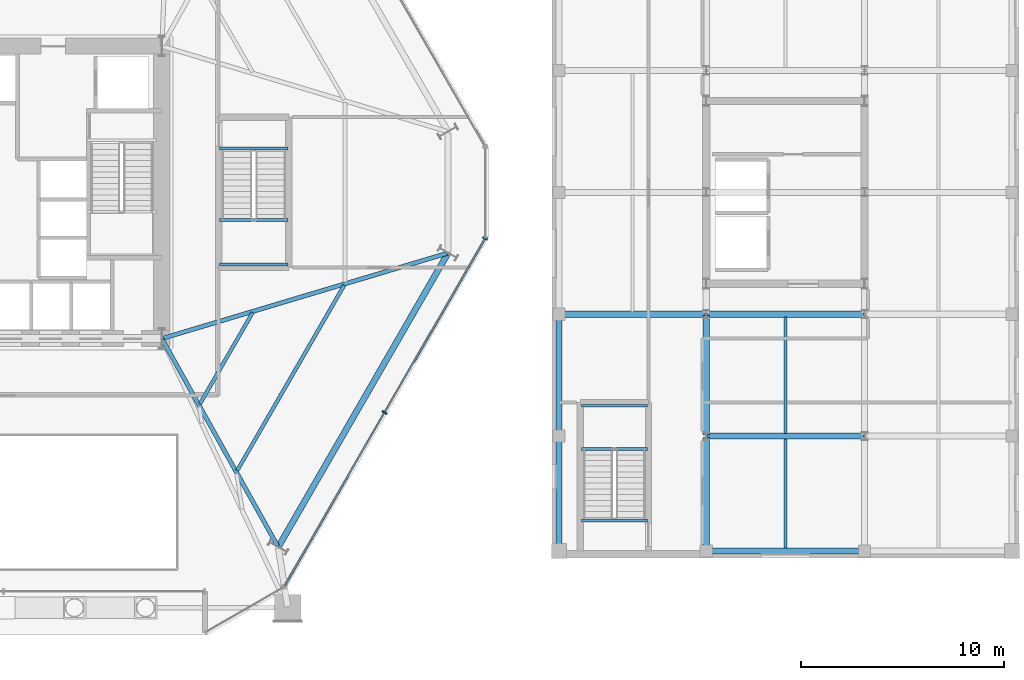
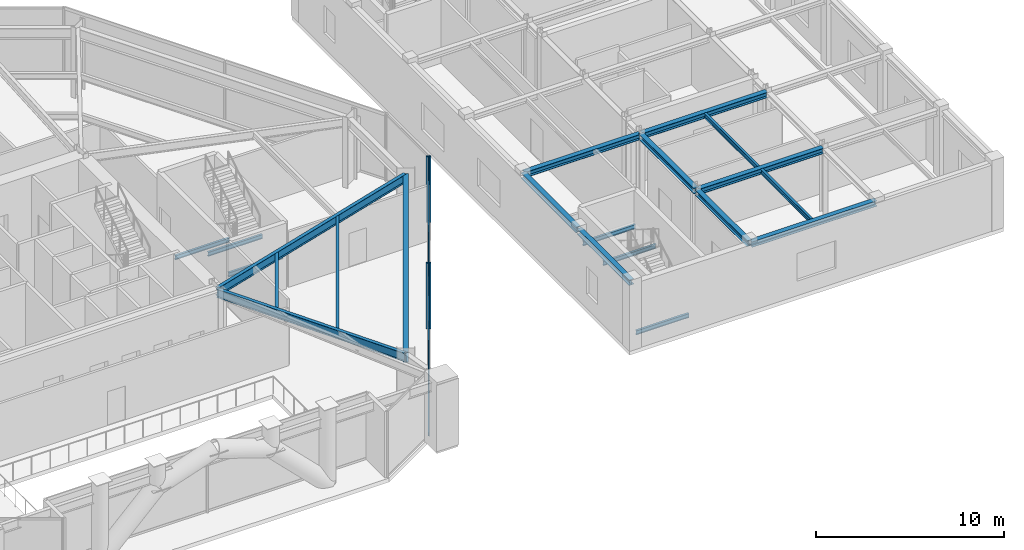
# One storey, part 9 of 23: 21 beams, 6 members, 1 element without a shape of its own.
"""IFC4 building model written with IfcOpenShell, lengths in metres."""

from ifc_helpers import new_model, si_unit, direction, frame, origin, origin_2d, place, context, subcontext, project, spatial, rectangle, i_section, extrude, material, layer, layer_set, material_profile, profile_set, type_object, element, aggregate, save


model = new_model("IFC4")

# Units and contexts
model_context = context("Model", 3, precision=1e-05, world=origin(), true_north=direction((0.0, 1.0)))
body_context = subcontext(model_context, "Body", "Model", "MODEL_VIEW")
ifc_project = project(units=[si_unit("LENGTHUNIT", "METRE"), si_unit("AREAUNIT", "SQUARE_METRE"), si_unit("VOLUMEUNIT", "CUBIC_METRE"), si_unit("PLANEANGLEUNIT", "RADIAN"), si_unit("MASSUNIT", "GRAM", prefix="KILO")], contexts=[model_context])

# Site, building, storey
site_placement = place(None, origin())
site = spatial("IfcSite", under=ifc_project, at=site_placement, CompositionType="ELEMENT")
building_placement = place(site_placement, origin())
building = spatial("IfcBuilding", under=site, at=building_placement, Name="Kranzbogen Civic Tower", CompositionType="ELEMENT")
storey_placement = place(building_placement, frame((0.0, 0.0, 14.39990234375)))
storey = spatial("IfcBuildingStorey", under=building, at=storey_placement, Name="L03", CompositionType="ELEMENT", Elevation=14.39990234375)

# Curtain wall, members
ifc_material_1 = material(Name="Pale Anodised Aluminium", Category="aluminium")
ifc_layer = layer(ifc_material_1, 0.219970703125, Name="Pale Anodised Aluminium")
ifc_layer_set = layer_set([ifc_layer], Name="Pale Anodised Aluminium")
curtain_wall_type = type_object("IfcCurtainWallType", Name="Podium Stick Curtain Wall System CW-01", PredefinedType="USERDEFINED", material=ifc_layer_set)
curtain_wall_placement = place(storey_placement, origin())
curtain_wall = element("IfcCurtainWall", 1, at=curtain_wall_placement, inside=storey, type_object=curtain_wall_type, Name="L03 curtain wall CW-L03-F6", ObjectType="STICK CURTAIN WALL", PredefinedType="USERDEFINED")
ifc_material_profile_1 = material_profile(ifc_material_1, rectangle(XDim=0.0849609375, YDim=0.260009765625, at=origin_2d()), Name="ALU-M 85x260")
ifc_profile_set_1 = profile_set([ifc_material_profile_1], Name="Pale Anodised Aluminium")
member_type_1 = type_object("IfcMemberType", Name="Curtain Wall Mullion ALU-M 85x260", PredefinedType="MULLION", material=ifc_profile_set_1)
member_1_placement = place(storey_placement, frame((43.76904296875, 14.16357421875, 0.0), z_axis=(0.0, 0.0, 1.0), x_axis=(0.500005767433, 0.86602207393, 0.0)))
member_1 = element("IfcMember", 2, at=member_1_placement, type_object=member_type_1, Name="CW-01 mullion 2", PredefinedType="MULLION", context=body_context, shape_type="SweptSolid", body=[
    extrude(rectangle(XDim=0.0849609375, YDim=0.260009765625, at=origin_2d()), origin(), (0.0, 0.0, 1.0), 4.300048828125),
])
member_2_placement = place(storey_placement, frame((48.718994140625, 22.737060546875, 0.0), z_axis=(0.0, 0.0, 1.0), x_axis=(0.500005767433, 0.86602207393, 0.0)))
member_2 = element("IfcMember", 3, at=member_2_placement, type_object=member_type_1, Name="CW-01 mullion 3", PredefinedType="MULLION", context=body_context, shape_type="SweptSolid", body=[
    extrude(rectangle(XDim=0.0849609375, YDim=0.260009765625, at=origin_2d()), origin(), (0.0, 0.0, 1.0), 4.300048828125),
])
ifc_material_profile_2 = material_profile(ifc_material_1, rectangle(XDim=0.0849609375, YDim=0.195068359375, at=origin_2d()), Name="ALU-T 85x195")
ifc_profile_set_2 = profile_set([ifc_material_profile_2], Name="Pale Anodised Aluminium")
member_type_2 = type_object("IfcMemberType", Name="Curtain Wall Transom ALU-T 85x195", PredefinedType="USERDEFINED", material=ifc_profile_set_2)
member_3_placement = place(storey_placement, frame((38.833984375, 5.615966796875, 0.030029296875), z_axis=(0.500003092839, 0.866023618125, 0.0), x_axis=(-0.866023618125, 0.500003092839, 0.0)))
member_3 = element("IfcMember", 4, at=member_3_placement, type_object=member_type_2, Name="CW-01 transom 1.1", ObjectType="TRANSOM", PredefinedType="USERDEFINED", context=body_context, shape_type="SweptSolid", body=[
    extrude(rectangle(XDim=0.0849609375, YDim=0.195068359375, at=origin_2d()), origin(), (0.0, 0.0, 1.0), 9.83984375),
])
member_4_placement = place(storey_placement, frame((38.833984375, 5.615966796875, 4.27001953125), z_axis=(0.500003092839, 0.866023618125, 0.0), x_axis=(-0.866023618125, 0.500003092839, 0.0)))
member_4 = element("IfcMember", 5, at=member_4_placement, type_object=member_type_2, Name="CW-01 transom 1.2", ObjectType="TRANSOM", PredefinedType="USERDEFINED", context=body_context, shape_type="SweptSolid", body=[
    extrude(rectangle(XDim=0.0849609375, YDim=0.195068359375, at=origin_2d()), origin(), (0.0, 0.0, 1.0), 9.83984375),
])
member_5_placement = place(storey_placement, frame((43.783935546875, 14.189453125, 0.030029296875), z_axis=(0.500021701106, 0.866012874282, 0.0), x_axis=(-0.866012874282, 0.500021701106, 0.0)))
member_5 = element("IfcMember", 6, at=member_5_placement, type_object=member_type_2, Name="CW-01 transom 2.1", ObjectType="TRANSOM", PredefinedType="USERDEFINED", context=body_context, shape_type="SweptSolid", body=[
    extrude(rectangle(XDim=0.0849609375, YDim=0.195068359375, at=origin_2d()), origin(), (0.0, 0.0, 1.0), 9.83984375),
])
member_6_placement = place(storey_placement, frame((43.783935546875, 14.189453125, 4.27001953125), z_axis=(0.500021701106, 0.866012874282, 0.0), x_axis=(-0.866012874282, 0.500021701106, 0.0)))
member_6 = element("IfcMember", 7, at=member_6_placement, type_object=member_type_2, Name="CW-01 transom 2.2", ObjectType="TRANSOM", PredefinedType="USERDEFINED", context=body_context, shape_type="SweptSolid", body=[
    extrude(rectangle(XDim=0.0849609375, YDim=0.195068359375, at=origin_2d()), origin(), (0.0, 0.0, 1.0), 9.83984375),
])
aggregate(curtain_wall, [member_1, member_2, member_3, member_4, member_5, member_6])

# Beams
ifc_material_2 = material(Name="Steel S355", Category="steel")
ifc_material_profile_3 = material_profile(ifc_material_2, i_section(OverallWidth=0.300048828125, OverallDepth=0.360107421875, WebThickness=0.012451171875, FlangeThickness=0.0224609375, at=origin_2d()), Name="HEB 360")
ifc_profile_set_3 = profile_set([ifc_material_profile_3], Name="Steel S355")
beam_type_1 = type_object("IfcBeamType", Name="Health Centre Primary Floor Beam HEB 360", PredefinedType="BEAM", material=ifc_profile_set_3)
for number, where, z_axis, x_axis, name in (
    (8, (59.659912109375, 7.35009765625, 4.1201171875), (1.0, 0.0, 0.0), (0.0, 1.0, 0.0), "L03 Health Centre X girder 2-1"),
    (9, (59.659912109375, 13.0, 4.1201171875), (1.0, 0.0, 0.0), (0.0, 1.0, 0.0), "L03 Health Centre X girder 2-2"),
):
    element("IfcBeam", number, at=place(storey_placement, frame(where, z_axis=z_axis, x_axis=x_axis)), inside=storey, type_object=beam_type_1, Name=name, PredefinedType="BEAM", context=body_context, shape_type="SweptSolid", body=[
        extrude(i_section(OverallWidth=0.300048828125, OverallDepth=0.360107421875, WebThickness=0.012451171875, FlangeThickness=0.0224609375, at=origin_2d()), origin(), (0.0, 0.0, 1.0), 7.68017578125),
    ])
beam_1_placement = place(storey_placement, frame((52.409912109375, 19.0, 4.1201171875), z_axis=(1.0, 0.0, 0.0), x_axis=(0.0, 1.0, 0.0)))
element("IfcBeam", 10, at=beam_1_placement, inside=storey, type_object=beam_type_1, Name="L03 Health Centre X girder 1-3", PredefinedType="BEAM", context=body_context, shape_type="SweptSolid", body=[
    extrude(i_section(OverallWidth=0.300048828125, OverallDepth=0.360107421875, WebThickness=0.012451171875, FlangeThickness=0.0224609375, at=origin_2d()), origin(), (0.0, 0.0, 1.0), 7.130126953125),
])
beam_2_placement = place(storey_placement, frame((59.659912109375, 19.0, 4.1201171875), z_axis=(1.0, 0.0, 0.0), x_axis=(0.0, 1.0, 0.0)))
element("IfcBeam", 11, at=beam_2_placement, inside=storey, type_object=beam_type_1, Name="L03 Health Centre X girder 2-3", PredefinedType="BEAM", context=body_context, shape_type="SweptSolid", body=[
    extrude(i_section(OverallWidth=0.300048828125, OverallDepth=0.360107421875, WebThickness=0.012451171875, FlangeThickness=0.0224609375, at=origin_2d()), origin(), (0.0, 0.0, 1.0), 7.68017578125),
])
for number, where, z_axis, x_axis, name in (
    (12, (52.35009765625, 7.409912109375, 4.1201171875), (0.0, 1.0, 0.0), (-1.0, 0.0, 0.0), "L03 Health Centre Y girder 1-1"),
    (13, (59.60009765625, 7.409912109375, 4.1201171875), (0.0, 1.0, 0.0), (-1.0, 0.0, 0.0), "L03 Health Centre Y girder 2-1"),
):
    element("IfcBeam", number, at=place(storey_placement, frame(where, z_axis=z_axis, x_axis=x_axis)), inside=storey, type_object=beam_type_1, Name=name, PredefinedType="BEAM", context=body_context, shape_type="SweptSolid", body=[
        extrude(i_section(OverallWidth=0.300048828125, OverallDepth=0.360107421875, WebThickness=0.012451171875, FlangeThickness=0.0224609375, at=origin_2d()), origin(), (0.0, 0.0, 1.0), 5.530029296875),
    ])
for number, where, z_axis, x_axis, name in (
    (14, (52.35009765625, 13.06005859375, 4.1201171875), (0.0, 1.0, 0.0), (-1.0, 0.0, 0.0), "L03 Health Centre Y girder 1-2"),
    (15, (59.60009765625, 13.06005859375, 4.1201171875), (0.0, 1.0, 0.0), (-1.0, 0.0, 0.0), "L03 Health Centre Y girder 2-2"),
):
    element("IfcBeam", number, at=place(storey_placement, frame(where, z_axis=z_axis, x_axis=x_axis)), inside=storey, type_object=beam_type_1, Name=name, PredefinedType="BEAM", context=body_context, shape_type="SweptSolid", body=[
        extrude(i_section(OverallWidth=0.300048828125, OverallDepth=0.360107421875, WebThickness=0.012451171875, FlangeThickness=0.0224609375, at=origin_2d()), origin(), (0.0, 0.0, 1.0), 5.8798828125),
    ])
ifc_material_profile_4 = material_profile(ifc_material_2, i_section(OverallWidth=0.14990234375, OverallDepth=0.300048828125, WebThickness=0.007080078125, FlangeThickness=0.0107421875, at=origin_2d()), Name="IPE 300")
ifc_profile_set_4 = profile_set([ifc_material_profile_4], Name="Steel S355")
beam_type_2 = type_object("IfcBeamType", Name="Health Centre Secondary Joist IPE 300", PredefinedType="JOIST", material=ifc_profile_set_4)
beam_3_placement = place(storey_placement, frame((63.5, 7.489990234375, 4.150146484375), z_axis=(0.0, 1.0, 0.0), x_axis=(-1.0, 0.0, 0.0)))
element("IfcBeam", 16, at=beam_3_placement, inside=storey, type_object=beam_type_2, Name="L03 Health Centre secondary joist 2-1", PredefinedType="JOIST", context=body_context, shape_type="SweptSolid", body=[
    extrude(i_section(OverallWidth=0.14990234375, OverallDepth=0.300048828125, WebThickness=0.007080078125, FlangeThickness=0.0107421875, at=origin_2d()), origin(), (0.0, 0.0, 1.0), 5.3701171875),
])
beam_4_placement = place(storey_placement, frame((63.5, 13.139892578125, 4.150146484375), z_axis=(0.0, 1.0, 0.0), x_axis=(-1.0, 0.0, 0.0)))
element("IfcBeam", 17, at=beam_4_placement, inside=storey, type_object=beam_type_2, Name="L03 Health Centre secondary joist 2-2", PredefinedType="JOIST", context=body_context, shape_type="SweptSolid", body=[
    extrude(i_section(OverallWidth=0.14990234375, OverallDepth=0.300048828125, WebThickness=0.007080078125, FlangeThickness=0.0107421875, at=origin_2d()), origin(), (0.0, 0.0, 1.0), 5.72021484375),
])
ifc_material_profile_5 = material_profile(ifc_material_2, i_section(OverallWidth=0.300048828125, OverallDepth=0.699951171875, WebThickness=0.01708984375, FlangeThickness=0.031982421875, at=origin_2d()), Name="HEB 700")
ifc_profile_set_5 = profile_set([ifc_material_profile_5], Name="Steel S355")
beam_type_3 = type_object("IfcBeamType", Name="Perimeter Tube Spandrel Beam HEB 700", PredefinedType="SPANDREL", material=ifc_profile_set_5)
beam_5_placement = place(storey_placement, frame((38.56103515625, 7.587890625, 3.9501953125), z_axis=(0.500010210561, 0.866019508634, 0.0), x_axis=(-0.866019508634, 0.500010210561, 0.0)))
element("IfcBeam", 18, at=beam_5_placement, inside=storey, type_object=beam_type_3, Name="L03 perimeter spandrel beam 05", PredefinedType="SPANDREL", context=body_context, shape_type="SweptSolid", body=[
    extrude(i_section(OverallWidth=0.300048828125, OverallDepth=0.699951171875, WebThickness=0.01708984375, FlangeThickness=0.031982421875, at=origin_2d()), origin(), (0.0, 0.0, 1.0), 16.597900390625),
])
ifc_material_profile_6 = material_profile(ifc_material_2, i_section(OverallWidth=0.2099609375, OverallDepth=0.550048828125, WebThickness=0.010986328125, FlangeThickness=0.01708984375, at=origin_2d()), Name="IPE 550")
ifc_profile_set_6 = profile_set([ifc_material_profile_6], Name="Steel S355")
beam_type_4 = type_object("IfcBeamType", Name="Radial Tower Floor Girder IPE 550", PredefinedType="BEAM", material=ifc_profile_set_6)
beam_6_placement = place(storey_placement, frame((38.501953125, 7.587890625, 4.025146484375), z_axis=(-0.487501570266, 0.87312211001, 0.0), x_axis=(-0.87312211001, -0.487501570266, 0.0)))
element("IfcBeam", 19, at=beam_6_placement, inside=storey, type_object=beam_type_4, Name="L03 radial floor girder 05", PredefinedType="BEAM", context=body_context, shape_type="SweptSolid", body=[
    extrude(i_section(OverallWidth=0.2099609375, OverallDepth=0.550048828125, WebThickness=0.010986328125, FlangeThickness=0.01708984375, at=origin_2d()), origin(), (0.0, 0.0, 1.0), 11.636474609375),
])
beam_7_placement = place(storey_placement, frame((46.8330078125, 21.9970703125, 4.025146484375), z_axis=(-0.958064557048, -0.286552446385, 0.0), x_axis=(0.286552446385, -0.958064557048, 0.0)))
element("IfcBeam", 20, at=beam_7_placement, inside=storey, type_object=beam_type_4, Name="L03 radial floor girder 06", PredefinedType="BEAM", context=body_context, shape_type="SweptSolid", body=[
    extrude(i_section(OverallWidth=0.2099609375, OverallDepth=0.550048828125, WebThickness=0.010986328125, FlangeThickness=0.01708984375, at=origin_2d()), origin(), (0.0, 0.0, 1.0), 14.587890625),
])
ifc_material_profile_7 = material_profile(ifc_material_2, i_section(OverallWidth=0.179931640625, OverallDepth=0.39990234375, WebThickness=0.008544921875, FlangeThickness=0.013427734375, at=origin_2d()), Name="IPE 400")
ifc_profile_set_7 = profile_set([ifc_material_profile_7], Name="Steel S355")
beam_type_5 = type_object("IfcBeamType", Name="Secondary Composite Floor Joist IPE 400", PredefinedType="JOIST", material=ifc_profile_set_7)
beam_8_placement = place(storey_placement, frame((36.508056640625, 11.300048828125, 4.10009765625), z_axis=(0.500000488781, 0.866025121586, 0.0), x_axis=(-0.866025121586, 0.500000488781, 0.0)))
element("IfcBeam", 21, at=beam_8_placement, inside=storey, type_object=beam_type_5, Name="L03 secondary floor joist 1.05", PredefinedType="JOIST", context=body_context, shape_type="SweptSolid", body=[
    extrude(i_section(OverallWidth=0.179931640625, OverallDepth=0.39990234375, WebThickness=0.008544921875, FlangeThickness=0.013427734375, at=origin_2d()), origin(), (0.0, 0.0, 1.0), 10.5400390625),
])
beam_9_placement = place(storey_placement, frame((34.674072265625, 14.5849609375, 4.10009765625), z_axis=(0.500040090343, 0.866002256377, 0.0), x_axis=(-0.866002256377, 0.500040090343, 0.0)))
element("IfcBeam", 22, at=beam_9_placement, inside=storey, type_object=beam_type_5, Name="L03 secondary floor joist 2.05", PredefinedType="JOIST", context=body_context, shape_type="SweptSolid", body=[
    extrude(i_section(OverallWidth=0.179931640625, OverallDepth=0.39990234375, WebThickness=0.008544921875, FlangeThickness=0.013427734375, at=origin_2d()), origin(), (0.0, 0.0, 1.0), 5.189453125),
])
ifc_material_profile_8 = material_profile(ifc_material_2, i_section(OverallWidth=0.135009765625, OverallDepth=0.27001953125, WebThickness=0.006591796875, FlangeThickness=0.01025390625, at=origin_2d()), Name="IPE 270")
ifc_profile_set_8 = profile_set([ifc_material_profile_8], Name="Steel S355")
beam_type_6 = type_object("IfcBeamType", Name="Stair Landing Support Beam IPE 270", PredefinedType="JOIST", material=ifc_profile_set_8)
for number, where, z_axis, x_axis, name in (
    (23, (35.64990234375, 27.159912109375, -0.39501953125), (1.0, 0.0, 0.0), (0.0, 1.0, 0.0), "L03 ST-P2 stair floor header beam"),
    (24, (35.64990234375, 23.639892578125, 1.965087890625), (1.0, 0.0, 0.0), (0.0, 1.0, 0.0), "L03 ST-P2 landing support beam 1.1"),
    (25, (35.64990234375, 21.449951171875, 1.965087890625), (1.0, 0.0, 0.0), (0.0, 1.0, 0.0), "L03 ST-P2 landing support beam 1.2"),
):
    element("IfcBeam", number, at=place(storey_placement, frame(where, z_axis=z_axis, x_axis=x_axis)), inside=storey, type_object=beam_type_6, Name=name, PredefinedType="JOIST", context=body_context, shape_type="SweptSolid", body=[
        extrude(i_section(OverallWidth=0.135009765625, OverallDepth=0.27001953125, WebThickness=0.006591796875, FlangeThickness=0.01025390625, at=origin_2d()), origin(), (0.0, 0.0, 1.0), 3.35009765625),
    ])
for number, where, z_axis, x_axis, name in (
    (26, (56.699951171875, 8.840087890625, -0.39501953125), (-1.0, 0.0, 0.0), (0.0, -1.0, 0.0), "L03 ST-H1 stair floor header beam"),
    (27, (56.699951171875, 12.360107421875, 1.965087890625), (-1.0, 0.0, 0.0), (0.0, -1.0, 0.0), "L03 ST-H1 landing support beam 1.1"),
    (28, (56.699951171875, 14.5, 1.965087890625), (-1.0, 0.0, 0.0), (0.0, -1.0, 0.0), "L03 ST-H1 landing support beam 1.2"),
):
    element("IfcBeam", number, at=place(storey_placement, frame(where, z_axis=z_axis, x_axis=x_axis)), inside=storey, type_object=beam_type_6, Name=name, PredefinedType="JOIST", context=body_context, shape_type="SweptSolid", body=[
        extrude(i_section(OverallWidth=0.135009765625, OverallDepth=0.27001953125, WebThickness=0.006591796875, FlangeThickness=0.01025390625, at=origin_2d()), origin(), (0.0, 0.0, 1.0), 3.25),
    ])

save(model, "model.ifc")
